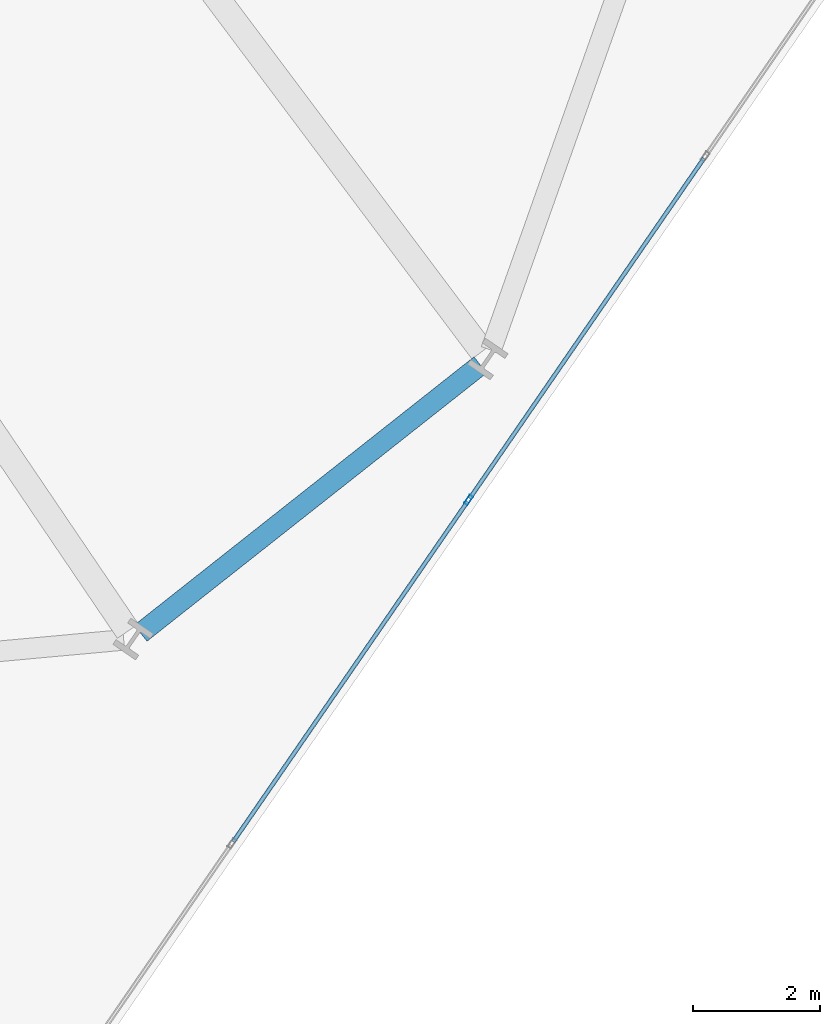
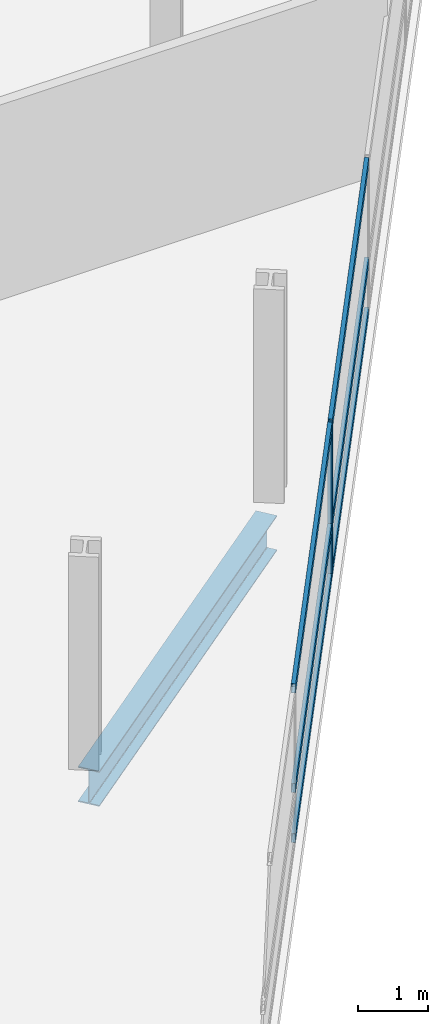
# One storey, part 7 of 24: 7 members, 1 beam, 1 element without a shape of its own.
"""IFC4 building model written with IfcOpenShell, lengths in metres."""

from ifc_helpers import new_model, si_unit, direction, frame, origin, origin_2d, place, context, subcontext, project, spatial, hollow_rectangle, i_section, extrude, material, layer, layer_set, material_profile, profile_set, type_object, element, aggregate, save


model = new_model("IFC4")

# Units and contexts
model_context = context("Model", 3, precision=1e-05, world=origin(), true_north=direction((0.0, 1.0)))
body_context = subcontext(model_context, "Body", "Model", "MODEL_VIEW")
ifc_project = project(units=[si_unit("LENGTHUNIT", "METRE"), si_unit("AREAUNIT", "SQUARE_METRE"), si_unit("VOLUMEUNIT", "CUBIC_METRE"), si_unit("PLANEANGLEUNIT", "RADIAN"), si_unit("MASSUNIT", "GRAM", prefix="KILO")], contexts=[model_context])

# Site, building, storey
site_placement = place(None, origin())
site = spatial("IfcSite", under=ifc_project, at=site_placement, CompositionType="ELEMENT")
building_placement = place(site_placement, origin())
building = spatial("IfcBuilding", under=site, at=building_placement, Name="Varnelok Gate Tower", CompositionType="ELEMENT")
storey_placement = place(building_placement, frame((0.0, 0.0, 67.699951171875)))
storey = spatial("IfcBuildingStorey", under=building, at=storey_placement, Name="L16", CompositionType="ELEMENT", Elevation=67.699951171875)

# Beam
ifc_material_1 = material(Name="Structural Steel ASTM A992 Grade 50", Category="steel")
ifc_material_profile_1 = material_profile(ifc_material_1, i_section(OverallWidth=0.323974609375, OverallDepth=0.611083984375, WebThickness=0.0126953125, FlangeThickness=0.01904296875, FilletRadius=0.01806640625, at=origin_2d()), Name="W24X104")
ifc_profile_set_1 = profile_set([ifc_material_profile_1], Name="Structural Steel ASTM A992 Grade 50")
beam_type = type_object("IfcBeamType", Name="BM-SPN-W24X104", PredefinedType="SPANDREL", material=ifc_profile_set_1)
beam_placement = place(storey_placement, frame((66.202392578125, 1.045654296875, -0.555419921875), z_axis=(0.784860761341, 0.619672159538, 0.0), x_axis=(-0.619672159538, 0.784860761341, 0.0)))
element("IfcBeam", 1, at=beam_placement, inside=storey, type_object=beam_type, Name="L16 Perimeter Spandrel Beam 6", PredefinedType="SPANDREL", context=body_context, shape_type="SweptSolid", body=[
    extrude(i_section(OverallWidth=0.323974609375, OverallDepth=0.611083984375, WebThickness=0.0126953125, FlangeThickness=0.01904296875, FilletRadius=0.01806640625, at=origin_2d()), origin(), (0.0, 0.0, 1.0), 6.81640625),
])

# Curtain wall, members
ifc_material_2 = material(Name="Anodized Aluminum Alloy 6063-T6", Category="aluminium")
ifc_layer = layer(ifc_material_2, 0.179931640625)
ifc_layer_set = layer_set([ifc_layer], Name="Anodized Aluminum Alloy 6063-T6")
curtain_wall_type = type_object("IfcCurtainWallType", Name="CW3-HOTEL-VISION", PredefinedType="USERDEFINED", material=ifc_layer_set)
curtain_wall_placement = place(storey_placement, origin())
curtain_wall = element("IfcCurtainWall", 2, at=curtain_wall_placement, inside=storey, type_object=curtain_wall_type, Name="L16 East End Vision Curtain Wall", ObjectType="UNITISED CURTAIN WALL", PredefinedType="USERDEFINED")
ifc_material_profile_2 = material_profile(ifc_material_2, hollow_rectangle(XDim=0.06494140625, YDim=0.159912109375, WallThickness=0.00390625, at=origin_2d()), Name="ALU160X65X4")
ifc_profile_set_2 = profile_set([ifc_material_profile_2], Name="Anodized Aluminum Alloy 6063-T6")
member_type_1 = type_object("IfcMemberType", Name="CW-MULL-160", PredefinedType="MULLION", material=ifc_profile_set_2)
member_1_placement = place(storey_placement, frame((71.3671875, 3.142578125, 0.0), z_axis=(0.0, 0.0, 1.0), x_axis=(0.823532685111, -0.567268822124, 0.0)))
member_1 = element("IfcMember", 3, at=member_1_placement, type_object=member_type_1, Name="CW3 mullion 4", PredefinedType="MULLION", context=body_context, shape_type="SweptSolid", body=[
    extrude(hollow_rectangle(XDim=0.06494140625, YDim=0.159912109375, WallThickness=0.00390625, at=origin_2d()), origin(), (0.0, 0.0, 1.0), 2.66015625),
])
ifc_material_profile_3 = material_profile(ifc_material_2, hollow_rectangle(XDim=0.06494140625, YDim=0.159912109375, WallThickness=0.00390625, at=origin_2d()), Name="ALU160X65X4")
ifc_profile_set_3 = profile_set([ifc_material_profile_3], Name="Anodized Aluminum Alloy 6063-T6")
member_type_2 = type_object("IfcMemberType", Name="CW-TRAN-160", PredefinedType="USERDEFINED", material=ifc_profile_set_3)
member_2_placement = place(storey_placement, frame((75.07373046875, 8.523681640625, 0.032470703125), z_axis=(-0.56723619486, -0.82355515859, 0.0), x_axis=(0.82355515859, -0.56723619486, 0.0)))
member_2 = element("IfcMember", 4, at=member_2_placement, type_object=member_type_2, Name="CW3 transom 3.1", ObjectType="TRANSOM", PredefinedType="USERDEFINED", context=body_context, shape_type="SweptSolid", body=[
    extrude(hollow_rectangle(XDim=0.06494140625, YDim=0.159912109375, WallThickness=0.00390625, at=origin_2d()), origin(), (0.0, 0.0, 1.0), 6.501708984375),
])
member_3_placement = place(storey_placement, frame((75.07373046875, 8.523681640625, 0.900146484375), z_axis=(-0.56723619486, -0.82355515859, 0.0), x_axis=(0.82355515859, -0.56723619486, 0.0)))
member_3 = element("IfcMember", 5, at=member_3_placement, type_object=member_type_2, Name="CW3 transom 3.2", ObjectType="TRANSOM", PredefinedType="USERDEFINED", context=body_context, shape_type="SweptSolid", body=[
    extrude(hollow_rectangle(XDim=0.06494140625, YDim=0.159912109375, WallThickness=0.00390625, at=origin_2d()), origin(), (0.0, 0.0, 1.0), 6.501708984375),
])
member_4_placement = place(storey_placement, frame((75.07373046875, 8.523681640625, 2.62744140625), z_axis=(-0.56723619486, -0.82355515859, 0.0), x_axis=(0.82355515859, -0.56723619486, 0.0)))
member_4 = element("IfcMember", 6, at=member_4_placement, type_object=member_type_2, Name="CW3 transom 3.3", ObjectType="TRANSOM", PredefinedType="USERDEFINED", context=body_context, shape_type="SweptSolid", body=[
    extrude(hollow_rectangle(XDim=0.06494140625, YDim=0.159912109375, WallThickness=0.00390625, at=origin_2d()), origin(), (0.0, 0.0, 1.0), 6.501708984375),
])
member_5_placement = place(storey_placement, frame((71.348876953125, 3.11572265625, 0.032470703125), z_axis=(-0.567279204469, -0.823525533409, 0.0), x_axis=(0.823525533409, -0.567279204469, 0.0)))
member_5 = element("IfcMember", 7, at=member_5_placement, type_object=member_type_2, Name="CW3 transom 4.1", ObjectType="TRANSOM", PredefinedType="USERDEFINED", context=body_context, shape_type="SweptSolid", body=[
    extrude(hollow_rectangle(XDim=0.06494140625, YDim=0.159912109375, WallThickness=0.00390625, at=origin_2d()), origin(), (0.0, 0.0, 1.0), 6.501708984375),
])
member_6_placement = place(storey_placement, frame((71.348876953125, 3.11572265625, 0.900146484375), z_axis=(-0.567279204469, -0.823525533409, 0.0), x_axis=(0.823525533409, -0.567279204469, 0.0)))
member_6 = element("IfcMember", 8, at=member_6_placement, type_object=member_type_2, Name="CW3 transom 4.2", ObjectType="TRANSOM", PredefinedType="USERDEFINED", context=body_context, shape_type="SweptSolid", body=[
    extrude(hollow_rectangle(XDim=0.06494140625, YDim=0.159912109375, WallThickness=0.00390625, at=origin_2d()), origin(), (0.0, 0.0, 1.0), 6.501708984375),
])
member_7_placement = place(storey_placement, frame((71.348876953125, 3.11572265625, 2.62744140625), z_axis=(-0.567279204469, -0.823525533409, 0.0), x_axis=(0.823525533409, -0.567279204469, 0.0)))
member_7 = element("IfcMember", 9, at=member_7_placement, type_object=member_type_2, Name="CW3 transom 4.3", ObjectType="TRANSOM", PredefinedType="USERDEFINED", context=body_context, shape_type="SweptSolid", body=[
    extrude(hollow_rectangle(XDim=0.06494140625, YDim=0.159912109375, WallThickness=0.00390625, at=origin_2d()), origin(), (0.0, 0.0, 1.0), 6.501708984375),
])
aggregate(curtain_wall, [member_1, member_2, member_3, member_4, member_5, member_6, member_7])

save(model, "model.ifc")
